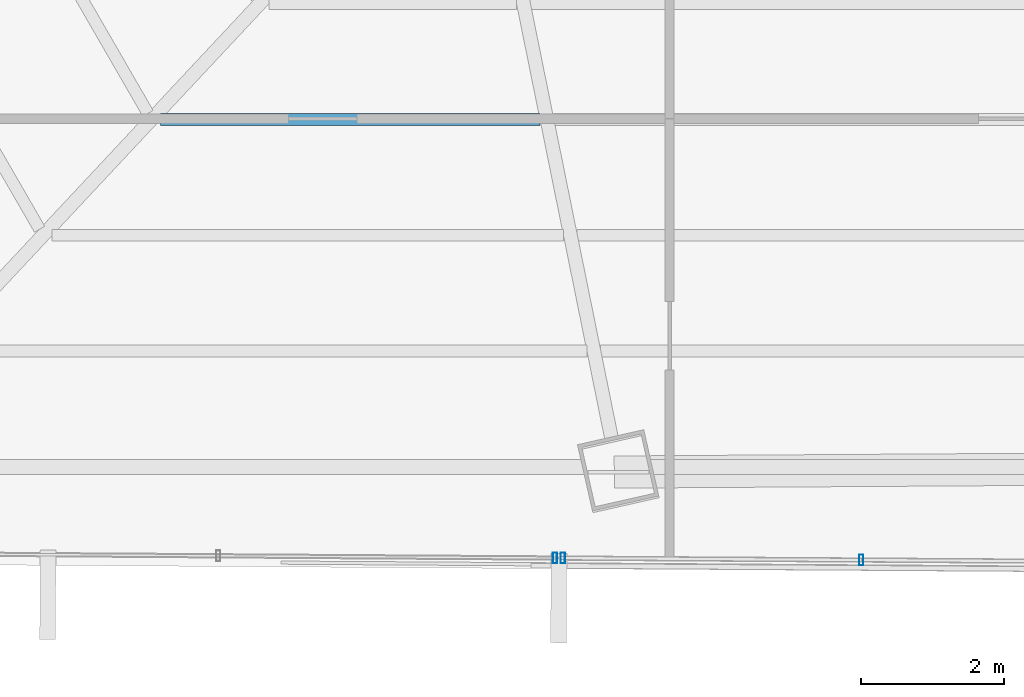
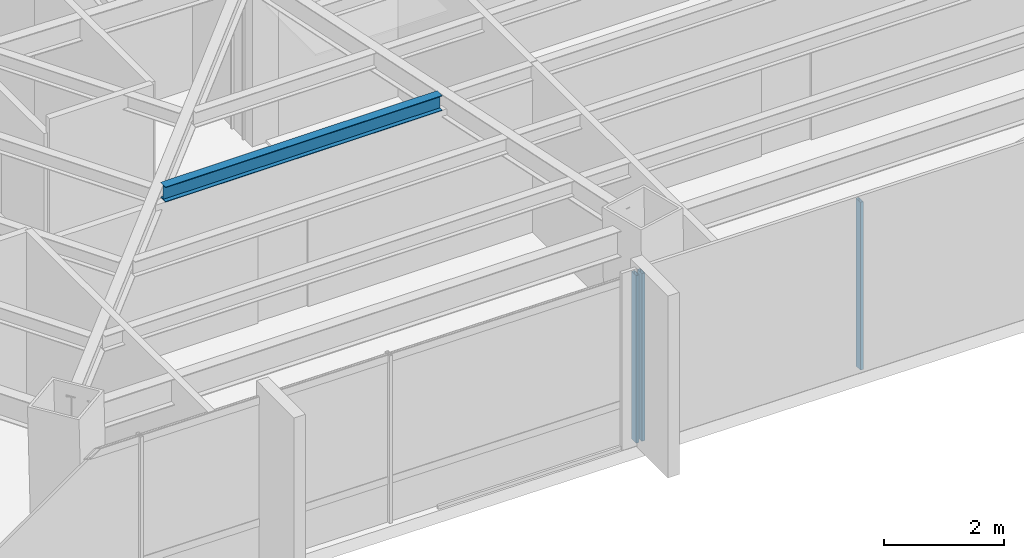
# One storey, part 8 of 41: 3 members, 1 beam, 2 elements without a shape of their own.
"""IFC4 building model written with IfcOpenShell, lengths in metres."""

import ifcopenshell
import ifcopenshell.guid

model = None  # the IFC model being written
_history = None  # IfcOwnerHistory: only IFC2X3 demands one
_inside = {}  # id of a spatial element -> (the spatial element, [elements in it])
_under = {}  # id of a project, library or spatial element -> (it, [spatial elements below it])
_declared = {}  # id of a project -> (the project, [libraries it declares])
_typed = {}  # id of a type object -> (the type object, [elements of that type])
_made_of = {}  # id of a material, layer set ... -> (it, [elements and type objects made of it])


def new_model(schema):
    """Start an empty IFC model of exactly this schema.

    Asked for "IFC4X3", IfcOpenShell would pick the latest addendum, in which some entities
    have other attributes; the version numbers below select the first issue.
    IFC2X3 requires an IfcOwnerHistory on every rooted entity: one is made here for all.
    """
    global model, _history
    if schema == "IFC4X3":
        model = ifcopenshell.file(schema_version=(4, 3, 0, 0))
    else:
        model = ifcopenshell.file(schema=schema)
    _inside.clear()
    _under.clear()
    _declared.clear()
    _typed.clear()
    _made_of.clear()
    _history = None
    if model.schema == "IFC2X3":
        org = make("IfcOrganization", Name="unknown")
        user = make(
            "IfcPersonAndOrganization",
            ThePerson=make("IfcPerson", FamilyName="unknown"),
            TheOrganization=org,
        )
        app = make(
            "IfcApplication",
            ApplicationDeveloper=org,
            Version="unknown",
            ApplicationFullName="unknown",
            ApplicationIdentifier="unknown",
        )
        _history = make(
            "IfcOwnerHistory",
            OwningUser=user,
            OwningApplication=app,
            ChangeAction="ADDED",
            CreationDate=0,
        )
    return model


def make(cls, **values):
    """One entity of the class cls with the attributes given. An attribute that is None is left unset."""
    return model.create_entity(
        cls, **{name: value for name, value in values.items() if value is not None}
    )


def rooted(cls, **values):
    """An entity with a GlobalId (a new one), such as an element, a storey or a relation."""
    return make(cls, GlobalId=ifcopenshell.guid.new(), OwnerHistory=_history, **values)


def si_unit(unit_type, name, prefix=None):
    """IfcSIUnit, for example si_unit("LENGTHUNIT", "METRE", prefix="MILLI")."""
    return make("IfcSIUnit", UnitType=unit_type, Prefix=prefix, Name=name)


def assignment(units):
    """IfcUnitAssignment: the units of a project."""
    return None if units is None else make("IfcUnitAssignment", Units=units)


def point(xyz):
    """IfcCartesianPoint."""
    return None if xyz is None else make("IfcCartesianPoint", Coordinates=xyz)


def direction(xyz):
    """IfcDirection."""
    return None if xyz is None else make("IfcDirection", DirectionRatios=xyz)


def frame(location, z_axis=None, x_axis=None):
    """IfcAxis2Placement3D, a coordinate frame: its origin and axes. An axis left out is left unset."""
    return make(
        "IfcAxis2Placement3D",
        Location=point(location),
        Axis=direction(z_axis),
        RefDirection=direction(x_axis),
    )


def frame_2d(location, x_axis=None):
    """IfcAxis2Placement2D, a coordinate frame in the plane: its origin and x axis."""
    return make(
        "IfcAxis2Placement2D", Location=point(location), RefDirection=direction(x_axis)
    )


def origin():
    """The frame at (0, 0, 0) with its axes left unset."""
    return frame((0.0, 0.0, 0.0))


def origin_2d():
    """The frame at (0, 0) in the plane with its x axis left unset."""
    return frame_2d((0.0, 0.0))


def place(relative_to, where):
    """IfcLocalPlacement: puts the frame where relative to a parent placement (None: the world)."""
    return make(
        "IfcLocalPlacement", PlacementRelTo=relative_to, RelativePlacement=where
    )


def context(
    kind, dimensions, precision=None, world=None, true_north=None, identifier=None
):
    """IfcGeometricRepresentationContext, for example the 3D "Model" context."""
    return make(
        "IfcGeometricRepresentationContext",
        ContextIdentifier=identifier,
        ContextType=kind,
        CoordinateSpaceDimension=dimensions,
        Precision=precision,
        WorldCoordinateSystem=world,
        TrueNorth=true_north,
    )


def subcontext(parent, identifier, kind, view, scale=None):
    """IfcGeometricRepresentationSubContext, for example "Body" below "Model"."""
    return make(
        "IfcGeometricRepresentationSubContext",
        ContextIdentifier=identifier,
        ContextType=kind,
        ParentContext=parent,
        TargetScale=scale,
        TargetView=view,
    )


def project(units=None, contexts=None):
    """IfcProject with its units and contexts."""
    return rooted(
        "IfcProject",
        Name="project",
        RepresentationContexts=contexts,
        UnitsInContext=assignment(units),
    )


def spatial(cls, under=None, at=None, **own):
    """A site, building, storey or space (cls), placed at a placement, below another one or the project."""
    s = rooted(cls, ObjectPlacement=at, **own)
    if under is not None:
        _under.setdefault(under.id(), (under, []))[1].append(s)
    return s


def profile(cls, at=None, kind="AREA", **sizes):
    """A parametric profile (cls). Its sizes go by their IFC names, for example OverallWidth=200.0."""
    return make(cls, ProfileType=kind, Position=at, **sizes)


def hollow_rectangle(**sizes):
    """IfcRectangleHollowProfileDef."""
    return profile("IfcRectangleHollowProfileDef", **sizes)


def i_section(**sizes):
    """IfcIShapeProfileDef."""
    return profile("IfcIShapeProfileDef", **sizes)


def extrude(swept, where, along, depth):
    """IfcExtrudedAreaSolid: the profile swept, set in the frame where, extruded along a direction by depth."""
    return make(
        "IfcExtrudedAreaSolid",
        SweptArea=swept,
        Position=where,
        ExtrudedDirection=direction(along),
        Depth=depth,
    )


def shape(context_of_items, identifier, shape_type, items):
    """IfcShapeRepresentation: the items that make up one representation, for example the "Body"."""
    return make(
        "IfcShapeRepresentation",
        ContextOfItems=context_of_items,
        RepresentationIdentifier=identifier,
        RepresentationType=shape_type,
        Items=items,
    )


def source(mapping_origin, context_of_items, identifier, shape_type, items):
    """IfcRepresentationMap: a shape defined once, which mapped items show again and again."""
    return make(
        "IfcRepresentationMap",
        MappingOrigin=mapping_origin,
        MappedRepresentation=shape(context_of_items, identifier, shape_type, items),
    )


def transform(
    local_origin,
    x_axis=None,
    y_axis=None,
    z_axis=None,
    scale=None,
    scale2=None,
    scale3=None,
    uniform=True,
):
    """IfcCartesianTransformationOperator3D, or its non-uniform kind. x_axis, y_axis, z_axis: its Axis1, 2, 3."""
    if uniform:
        return make(
            "IfcCartesianTransformationOperator3D",
            Axis1=direction(x_axis),
            Axis2=direction(y_axis),
            LocalOrigin=point(local_origin),
            Scale=scale,
            Axis3=direction(z_axis),
        )
    return make(
        "IfcCartesianTransformationOperator3DnonUniform",
        Axis1=direction(x_axis),
        Axis2=direction(y_axis),
        LocalOrigin=point(local_origin),
        Scale=scale,
        Axis3=direction(z_axis),
        Scale2=scale2,
        Scale3=scale3,
    )


def mapped(mapping_source, mapping_target):
    """IfcMappedItem: shows the shape of a source again, moved by a transform."""
    return make(
        "IfcMappedItem", MappingSource=mapping_source, MappingTarget=mapping_target
    )


def material(Name=None, Category=None):
    """IfcMaterial."""
    return make("IfcMaterial", Name=Name, Category=Category)


def material_profile(
    of_material, cross_section, Name=None, Category=None, Priority=None
):
    """IfcMaterialProfile: a cross section and its material."""
    return make(
        "IfcMaterialProfile",
        Name=Name,
        Material=of_material,
        Profile=cross_section,
        Priority=Priority,
        Category=Category,
    )


def profile_set(profiles, Name=None, composite=None):
    """IfcMaterialProfileSet."""
    return make(
        "IfcMaterialProfileSet",
        Name=Name,
        MaterialProfiles=profiles,
        CompositeProfile=composite,
    )


def made_of(thing, what):
    """Note that an element or type object is made of a material, layer set ...; save() writes the relation."""
    if what is not None:
        _made_of.setdefault(what.id(), (what, []))[1].append(thing)
    return thing


def type_object(cls, material=None, **own):
    """A type object (cls), such as IfcWallType, which elements share."""
    return made_of(rooted(cls, **own), material)


def type_shapes(of_type, sources):
    """Give a type object the sources (RepresentationMaps) that its elements show as mapped items."""
    of_type.RepresentationMaps = sources


def element(
    cls,
    number,
    at=None,
    inside=None,
    cuts=None,
    type_object=None,
    material=None,
    context=None,
    identifier="Body",
    shape_type=None,
    held_by="IfcProductDefinitionShape",
    body=None,
    shapes=None,
    **own,
):
    """One element of the class cls, such as IfcWall. Its Tag is "e" and its number.

    at: its placement. inside: the storey or other place that contains it. cuts: it is an
    opening in that element (IfcRelVoidsElement). A single representation is given by context,
    identifier, shape_type and body (its items); several are given by shapes. held_by: the class
    of the entity that holds the representations. save() writes the other relations.
    """
    e = rooted(cls, Tag="e%d" % number, ObjectPlacement=at, **own)
    if body is not None:
        shapes = [shape(context, identifier, shape_type, body)]
    if shapes is not None:
        e.Representation = make(held_by, Representations=shapes)
    if inside is not None:
        _inside.setdefault(inside.id(), (inside, []))[1].append(e)
    if cuts is not None:
        rooted(
            "IfcRelVoidsElement", RelatingBuildingElement=cuts, RelatedOpeningElement=e
        )
    if type_object is not None:
        _typed.setdefault(type_object.id(), (type_object, []))[1].append(e)
    return made_of(e, material)


def aggregate(whole, parts):
    """IfcRelAggregates: a whole, such as a stair, and the parts it consists of."""
    return rooted("IfcRelAggregates", RelatingObject=whole, RelatedObjects=parts)


def save(model, path):
    """Write the relations noted so far, then the file.

    IfcRelAggregates (storeys below a building ...), IfcRelContainedInSpatialStructure (elements
    in a storey), IfcRelDefinesByType, IfcRelAssociatesMaterial and IfcRelDeclares: one each for
    every whole, place, type object, material and project.
    """
    for whole, parts in _under.values():
        aggregate(whole, parts)
    for where, things in _inside.values():
        rooted(
            "IfcRelContainedInSpatialStructure",
            RelatedElements=things,
            RelatingStructure=where,
        )
    for kind, things in _typed.values():
        rooted("IfcRelDefinesByType", RelatedObjects=things, RelatingType=kind)
    for what, things in _made_of.values():
        rooted("IfcRelAssociatesMaterial", RelatedObjects=things, RelatingMaterial=what)
    for by, libraries in _declared.values():
        rooted("IfcRelDeclares", RelatingContext=by, RelatedDefinitions=libraries)
    model.write(path)


model = new_model("IFC4")

# Units and contexts
model_context = context("Model", 3, precision=1e-05, world=origin(), true_north=direction((0.0, 1.0)))
body_context = subcontext(model_context, "Body", "Model", "MODEL_VIEW")
ifc_project = project(units=[si_unit("LENGTHUNIT", "METRE"), si_unit("AREAUNIT", "SQUARE_METRE"), si_unit("VOLUMEUNIT", "CUBIC_METRE"), si_unit("PLANEANGLEUNIT", "RADIAN"), si_unit("MASSUNIT", "GRAM", prefix="KILO")], contexts=[model_context])

# Site, building, storey
site_placement = place(None, origin())
site = spatial("IfcSite", under=ifc_project, at=site_placement, CompositionType="ELEMENT")
building_placement = place(site_placement, origin())
building = spatial("IfcBuilding", under=site, at=building_placement, Name="Caelisora Broadcast Tower", CompositionType="ELEMENT")
storey_placement = place(building_placement, frame((0.0, 0.0, 169.449951171875)))
storey = spatial("IfcBuildingStorey", under=building, at=storey_placement, Name="L44", CompositionType="ELEMENT", Elevation=169.449951171875)

# Beam
ifc_material_1 = material(Name="Steel Grade 350 (AS/NZS 3679.1)", Category="steel")
ifc_material_profile_1 = material_profile(ifc_material_1, i_section(OverallWidth=0.166015625, OverallDepth=0.30712890625, WebThickness=0.006591796875, FlangeThickness=0.01171875, at=origin_2d()), Name="Steel Grade 350 (AS/NZS 3679.1)")
ifc_profile_set_1 = profile_set([ifc_material_profile_1], Name="Steel Grade 350 (AS/NZS 3679.1)")
beam_type = type_object("IfcBeamType", Name="SB03", PredefinedType="JOIST", material=ifc_profile_set_1)
shared_shape_1 = source(origin(), body_context, "Body", "SweptSolid", [
    extrude(i_section(OverallWidth=0.166015625, OverallDepth=0.30712890625, WebThickness=0.006591796875, FlangeThickness=0.01171875, at=origin_2d()), origin(), (0.0, 0.0, 1.0), 5.308349609375),
])
type_shapes(beam_type, [shared_shape_1])
beam_placement = place(storey_placement, frame((26.081787109375, 12.541015625, 3.246337890625), z_axis=(1.0, 0.0, 0.0), x_axis=(0.0, 1.0, 0.0)))
element("IfcBeam", 1, at=beam_placement, inside=storey, type_object=beam_type, Name="L44 beam SB03", PredefinedType="JOIST", context=body_context, shape_type="MappedRepresentation", body=[
    mapped(shared_shape_1, transform((0.0, 0.0, 0.0), scale=1.0)),
])

# Curtain wall, members
ifc_material_2 = material(Name="Unitised Aluminium Insulated Shadow-Box Spandrel Curtain Wall", Category="aluminium")
curtain_wall_type_1 = type_object("IfcCurtainWallType", Name="CW-SP2", PredefinedType="NOTDEFINED", material=ifc_material_2)
curtain_wall_1_placement = place(storey_placement, origin())
curtain_wall_1 = element("IfcCurtainWall", 2, at=curtain_wall_1_placement, inside=storey, type_object=curtain_wall_type_1, Name="L44 curtain wall CW-SP2", PredefinedType="NOTDEFINED")
ifc_material_3 = material(Name="Aluminium 6063-T6 Anodised Terracotta Bronze", Category="aluminium")
ifc_material_profile_2 = material_profile(ifc_material_3, hollow_rectangle(XDim=0.06005859375, YDim=0.14990234375, WallThickness=0.00341796875, at=origin_2d()), Name="Aluminium 6063-T6 Anodised Terracotta Bronze")
ifc_profile_set_2 = profile_set([ifc_material_profile_2], Name="Aluminium 6063-T6 Anodised Terracotta Bronze")
member_type = type_object("IfcMemberType", Name="CWM-03", PredefinedType="MULLION", material=ifc_profile_set_2)
shared_shape_2 = source(origin(), body_context, "Body", "SweptSolid", [
    extrude(hollow_rectangle(XDim=0.06005859375, YDim=0.14990234375, WallThickness=0.00341796875, at=origin_2d()), origin(), (0.0, 0.0, 1.0), 3.400146484375),
])
type_shapes(member_type, [shared_shape_2])
member_1_placement = place(storey_placement, frame((35.880615234375, 6.37939453125, 0.0), z_axis=(0.0, 0.0, 1.0), x_axis=(1.0, 0.0, 0.0)))
member_1 = element("IfcMember", 3, at=member_1_placement, type_object=member_type, Name="L44-CW-B06 mullion #2", PredefinedType="MULLION", context=body_context, shape_type="MappedRepresentation", body=[
    mapped(shared_shape_2, transform((0.0, 0.0, 0.0), scale=1.0)),
])
member_2_placement = place(storey_placement, frame((31.707763671875, 6.40673828125, 0.0), z_axis=(0.0, 0.0, 1.0), x_axis=(1.0, 0.0, 0.0)))
member_2 = element("IfcMember", 4, at=member_2_placement, type_object=member_type, Name="L44-CW-B06 mullion #3", PredefinedType="MULLION", context=body_context, shape_type="MappedRepresentation", body=[
    mapped(shared_shape_2, transform((0.0, 0.0, 0.0), scale=1.0)),
])
aggregate(curtain_wall_1, [member_1, member_2])

# Curtain wall, member
ifc_material_4 = material(Name="Unitised Aluminium and Low-E Glass Curtain Wall", Category="glass")
curtain_wall_type_2 = type_object("IfcCurtainWallType", Name="CW-Z3", PredefinedType="NOTDEFINED", material=ifc_material_4)
curtain_wall_2_placement = place(storey_placement, origin())
curtain_wall_2 = element("IfcCurtainWall", 5, at=curtain_wall_2_placement, inside=storey, type_object=curtain_wall_type_2, Name="L44 curtain wall CW-Z3", PredefinedType="NOTDEFINED")
member_3_placement = place(storey_placement, frame((31.597900390625, 6.407470703125, 0.0), z_axis=(0.0, 0.0, 1.0), x_axis=(1.0, 0.0, 0.0)))
member_3 = element("IfcMember", 6, at=member_3_placement, type_object=member_type, Name="L44-CW-B07 mullion #0", PredefinedType="MULLION", context=body_context, shape_type="MappedRepresentation", body=[
    mapped(shared_shape_2, transform((0.0, 0.0, 0.0), scale=1.0)),
])
aggregate(curtain_wall_2, [member_3])

save(model, "model.ifc")
